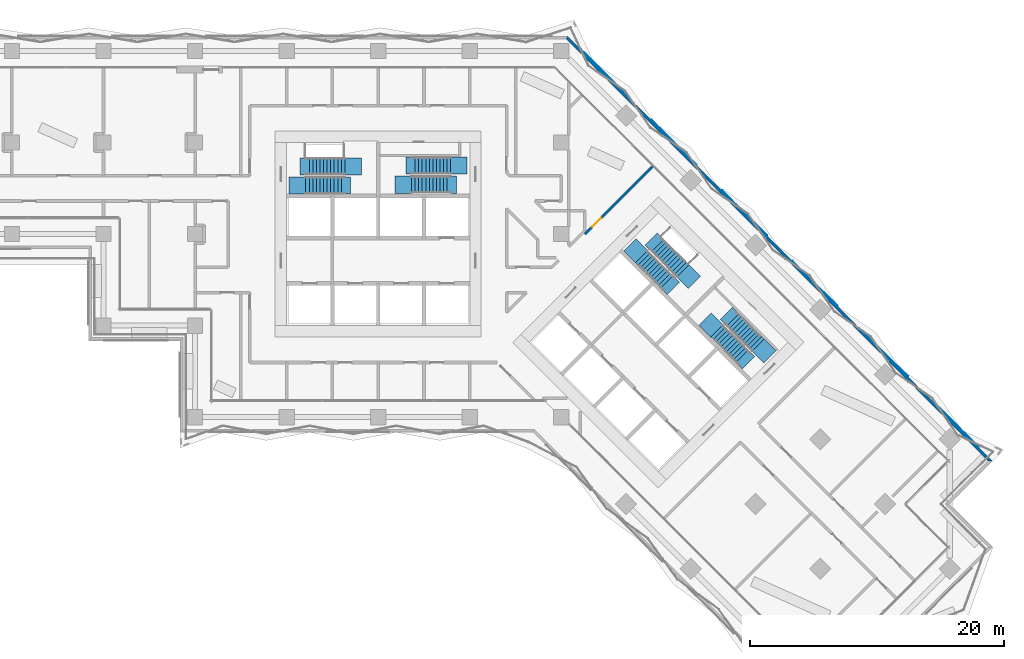
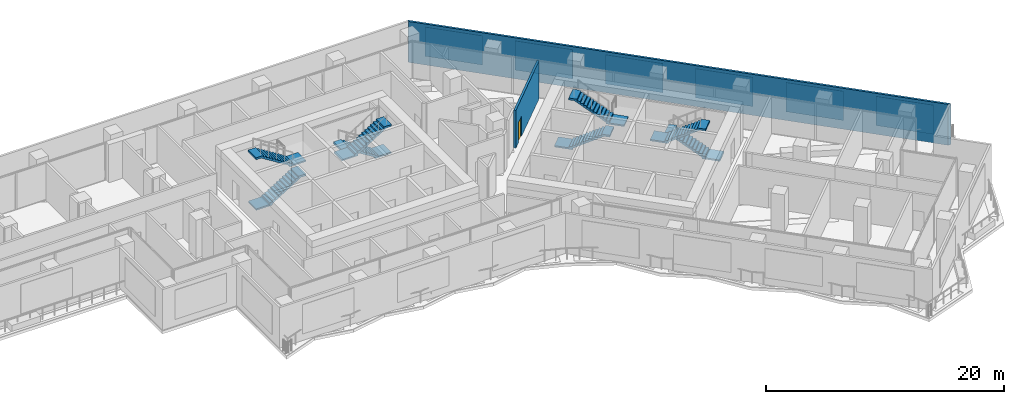
# One storey, part 17 of 24: 8 stair flights, 6 plates, 2 walls, 1 door, 1 opening, 4 elements without a shape of their own.
"""IFC4 building model written with IfcOpenShell, lengths in metres."""

from ifc_helpers import new_model, si_unit, direction, frame, frame_2d, origin, place, context, subcontext, project, spatial, polyline, rectangle, outline, extrude, material, layer, layer_set, type_object, element, fill, aggregate, save


model = new_model("IFC4")

# Units and contexts
model_context = context("Model", 3, precision=1e-05, world=origin(), true_north=direction((0.0, 1.0)))
body_context = subcontext(model_context, "Body", "Model", "MODEL_VIEW")
ifc_project = project(units=[si_unit("LENGTHUNIT", "METRE"), si_unit("AREAUNIT", "SQUARE_METRE"), si_unit("VOLUMEUNIT", "CUBIC_METRE"), si_unit("PLANEANGLEUNIT", "RADIAN"), si_unit("MASSUNIT", "GRAM", prefix="KILO")], contexts=[model_context])

# Plate
ifc_material_1 = material(Name="Aluminium louvre", Category="aluminium")
ifc_layer_1 = layer(ifc_material_1, 0.05)
ifc_layer_set_1 = layer_set([ifc_layer_1], Name="Belt louvre panel 5000x3000")
plate_type = type_object("IfcPlateType", Name="Belt louvre panel 5000x3000", PredefinedType="SHEET", material=ifc_layer_set_1)
site_placement = place(None, origin())
building_placement = place(site_placement, origin())
storey_placement = place(building_placement, frame((0.0, 0.0, 67.8)))
plate_1_placement = place(storey_placement, frame((112.0284, 40.8687, 0.75), z_axis=(0.7070967812, 0.7071167811, 0.0), x_axis=(-0.7071167811, 0.7070967812, 0.0)))
plate_1 = element("IfcPlate", 1, at=plate_1_placement, type_object=plate_type, Name="Belt louvre panel L18 5.1", PredefinedType="SHEET", context=body_context, shape_type="SweptSolid", body=[
    extrude(outline(polyline([(0.0, 0.0), (5.0, 0.0), (5.0, 3.0), (0.0, 3.0), (0.0, 0.0)])), origin(), (0.0, 0.0, -1.0), 0.05),
])

plate_2_placement = place(storey_placement, frame((106.4793, 46.4177, 0.75), z_axis=(0.7071167811, 0.7070967812, 0.0), x_axis=(-0.7070967812, 0.7071167811, 0.0)))
plate_2 = element("IfcPlate", 2, at=plate_2_placement, type_object=plate_type, Name="Belt louvre panel L18 6.2", PredefinedType="SHEET", context=body_context, shape_type="SweptSolid", body=[
    extrude(outline(polyline([(0.0, 0.0), (5.0, 0.0), (5.0, 3.0), (0.0, 3.0), (0.0, 0.0)])), origin(), (0.0, 0.0, -1.0), 0.05),
])

plate_3_placement = place(storey_placement, frame((100.9303, 51.9667, 0.75), z_axis=(0.7071167811, 0.7070967812, 0.0), x_axis=(-0.7070967812, 0.7071167811, 0.0)))
plate_3 = element("IfcPlate", 3, at=plate_3_placement, type_object=plate_type, Name="Belt louvre panel L18 7.3", PredefinedType="SHEET", context=body_context, shape_type="SweptSolid", body=[
    extrude(outline(polyline([(0.0, 0.0), (5.0, 0.0), (5.0, 3.0), (0.0, 3.0), (0.0, 0.0)])), origin(), (0.0, 0.0, -1.0), 0.05),
])

plate_4_placement = place(storey_placement, frame((95.3813, 57.5158, 0.75), z_axis=(0.7071067812, 0.7071067812, 0.0), x_axis=(-0.7071067812, 0.7071067812, 0.0)))
plate_4 = element("IfcPlate", 4, at=plate_4_placement, type_object=plate_type, Name="Belt louvre panel L18 8.4", PredefinedType="SHEET", context=body_context, shape_type="SweptSolid", body=[
    extrude(outline(polyline([(0.0, 0.0), (5.0, 0.0), (5.0, 3.0), (0.0, 3.0), (0.0, 0.0)])), origin(), (0.0, 0.0, -1.0), 0.05),
])

plate_5_placement = place(storey_placement, frame((89.8323, 63.0648, 0.75), z_axis=(0.7070967812, 0.7071167811, 0.0), x_axis=(-0.7071167811, 0.7070967812, 0.0)))
plate_5 = element("IfcPlate", 5, at=plate_5_placement, type_object=plate_type, Name="Belt louvre panel L18 9.5", PredefinedType="SHEET", context=body_context, shape_type="SweptSolid", body=[
    extrude(outline(polyline([(0.0, 0.0), (5.0, 0.0), (5.0, 3.0), (0.0, 3.0), (0.0, 0.0)])), origin(), (0.0, 0.0, -1.0), 0.05),
])

plate_6_placement = place(storey_placement, frame((84.2832, 68.6138, 0.75), z_axis=(0.7071067812, 0.7071067812, 0.0), x_axis=(-0.7071067812, 0.7071067812, 0.0)))
plate_6 = element("IfcPlate", 6, at=plate_6_placement, type_object=plate_type, Name="Belt louvre panel L18 10.6", PredefinedType="SHEET", context=body_context, shape_type="SweptSolid", body=[
    extrude(outline(polyline([(0.0, 0.0), (5.0, 0.0), (5.0, 3.0), (0.0, 3.0), (0.0, 0.0)])), origin(), (0.0, 0.0, -1.0), 0.05),
])

# Site, building, storey
site = spatial("IfcSite", under=ifc_project, at=site_placement, CompositionType="ELEMENT")
building = spatial("IfcBuilding", under=site, at=building_placement, Name="Windrow Commons", CompositionType="ELEMENT")
storey = spatial("IfcBuildingStorey", under=building, at=storey_placement, Name="L18", CompositionType="ELEMENT", Elevation=67.8)

# Wall
ifc_material_2 = material(Name="Concrete C40/50 precast screen panel", Category="concrete")
ifc_layer_2 = layer(ifc_material_2, 0.2)
ifc_layer_set_2 = layer_set([ifc_layer_2], Name="Belt screen wall 200")
wall_type_1 = type_object("IfcWallType", Name="Belt screen wall 200", PredefinedType="SOLIDWALL", material=ifc_layer_set_2)
wall_1_placement = place(storey_placement, frame((112.929, 39.7559, 0.0), z_axis=(0.0, 0.0, 1.0), x_axis=(-0.7071067812, 0.7071067812, 0.0)))
wall_1 = element("IfcWall", 7, at=wall_1_placement, inside=storey, type_object=wall_type_1, Name="Belt screen wall L18 5", PredefinedType="SOLIDWALL", context=body_context, shape_type="SweptSolid", body=[
    extrude(outline(polyline([(-0.1, -0.1), (47.1263, -0.1), (47.0435, 0.1), (0.1, 0.1), (-0.1, -0.1)])), origin(), (0.0, 0.0, 1.0), 4.2),
])

aggregate(wall_1, [plate_1, plate_2, plate_3, plate_4, plate_5, plate_6])

# Wall, opening, door
ifc_material_3 = material(Name="Blockwork partition", Category="masonry")
ifc_layer_3 = layer(ifc_material_3, 0.2)
ifc_layer_set_3 = layer_set([ifc_layer_3], Name="IW-CORRIDOR-200")
wall_type_2 = type_object("IfcWallType", Name="IW-CORRIDOR-200", PredefinedType="PARTITIONING", material=ifc_layer_set_3)
wall_2_placement = place(storey_placement, frame((81.0509, 57.5891, 0.0), z_axis=(0.0, 0.0, 1.0), x_axis=(0.7071067812, 0.7071067812, 0.0)))
wall_2 = element("IfcWall", 8, at=wall_2_placement, inside=storey, type_object=wall_type_2, Name="W-L18-W014", PredefinedType="PARTITIONING", context=body_context, shape_type="SweptSolid", body=[
    extrude(rectangle(XDim=7.5519, YDim=0.2, at=frame_2d((3.7759, 0.0))), origin(), (0.0, 0.0, 1.0), 3.9),
])
opening_placement = place(wall_2_placement, frame((0.8227, 0.0, 0.0)))
opening = element("IfcOpeningElement", 9, at=opening_placement, cuts=wall_2, Name="Opening D310F", PredefinedType="OPENING", context=body_context, shape_type="SweptSolid", body=[
    extrude(rectangle(XDim=1.0, YDim=2.1, at=frame_2d((0.5, 1.05))), frame((0.0, 0.11, 0.0), z_axis=(0.0, -1.0, 0.0), x_axis=(1.0, 0.0, 0.0)), (0.0, 0.0, 1.0), 0.22),
])
ifc_material_4 = material(Name="Timber door leaf", Category="wood")
door_type = type_object("IfcDoorType", Name="DT-AMENITY-1000", OperationType="SINGLE_SWING_LEFT", PredefinedType="DOOR", material=ifc_material_4)
door_placement = place(opening_placement, origin())
door = element("IfcDoor", 10, at=door_placement, inside=storey, type_object=door_type, Name="D-L18-D024", OperationType="SINGLE_SWING_RIGHT", OverallHeight=2.1, OverallWidth=1.0, PredefinedType="DOOR", context=body_context, shape_type="SweptSolid", body=[
    extrude(rectangle(XDim=1.0, YDim=2.1, at=frame_2d((0.5, 1.05))), frame((0.0, 0.025, 0.0), z_axis=(0.0, -1.0, 0.0), x_axis=(1.0, 0.0, 0.0)), (0.0, 0.0, 1.0), 0.05),
])
fill(opening, door)

# Stair, stair flights
ifc_material_5 = material(Name="Concrete C40/50", Category="concrete")
stair_type = type_object("IfcStairType", Name="Core stair", PredefinedType="HALF_TURN_STAIR", material=ifc_material_5)
placement = place(storey_placement, origin())
stair_1 = element("IfcStair", 11, at=placement, inside=storey, type_object=stair_type, Name="L18 Exit stair A1 core A", PredefinedType="HALF_TURN_STAIR")
ifc_material_6 = material(Name="Concrete C40/50", Category="concrete")
stair_flight_type = type_object("IfcStairFlightType", Name="Core stair flight", PredefinedType="STRAIGHT", material=ifc_material_6)
stair_flight_1_placement = place(storey_placement, frame((59.1, 61.425, 0.0), z_axis=(0.0, 0.0, 1.0), x_axis=(1.0, 0.0, 0.0)))
stair_flight_1 = element("IfcStairFlight", 12, at=stair_flight_1_placement, type_object=stair_flight_type, Name="ST-A1 flight 1", NumberOfRisers=12, NumberOfTreads=11, PredefinedType="STRAIGHT", RiserHeight=0.175, TreadLength=0.28, context=body_context, shape_type="SweptSolid", body=[
    extrude(outline(polyline([(-1.3, -0.15), (-1.3, 0.0), (0.0, 0.0), (0.0, 0.175), (0.28, 0.175), (0.28, 0.35), (0.56, 0.35), (0.56, 0.525), (0.84, 0.525), (0.84, 0.7), (1.12, 0.7), (1.12, 0.875), (1.4, 0.875), (1.4, 1.05), (1.68, 1.05), (1.68, 1.225), (1.96, 1.225), (1.96, 1.4), (2.24, 1.4), (2.24, 1.575), (2.52, 1.575), (2.52, 1.75), (2.8, 1.75), (2.8, 1.925), (3.08, 1.925), (3.53, 1.925), (3.53, 1.725), (3.08, 1.725), (3.08, 1.7481), (0.283, 0.0), (0.283, -0.15), (-1.3, -0.15)])), frame((0.0, 0.675, 0.0), z_axis=(0.0, -1.0, 0.0), x_axis=(1.0, 0.0, 0.0)), (0.0, 0.0, 1.0), 1.35),
])
stair_flight_2_placement = place(storey_placement, frame((62.18, 62.925, 2.1), z_axis=(0.0, 0.0, 1.0), x_axis=(-1.0, 0.0, 0.0)))
stair_flight_2 = element("IfcStairFlight", 13, at=stair_flight_2_placement, type_object=stair_flight_type, Name="ST-A1 flight 2", NumberOfRisers=12, NumberOfTreads=11, PredefinedType="STRAIGHT", RiserHeight=0.175, TreadLength=0.28, context=body_context, shape_type="SweptSolid", body=[
    extrude(outline(polyline([(-1.3, -0.15), (-1.3, 0.0), (0.0, 0.0), (0.0, 0.175), (0.28, 0.175), (0.28, 0.35), (0.56, 0.35), (0.56, 0.525), (0.84, 0.525), (0.84, 0.7), (1.12, 0.7), (1.12, 0.875), (1.4, 0.875), (1.4, 1.05), (1.68, 1.05), (1.68, 1.225), (1.96, 1.225), (1.96, 1.4), (2.24, 1.4), (2.24, 1.575), (2.52, 1.575), (2.52, 1.75), (2.8, 1.75), (2.8, 1.925), (3.08, 1.925), (3.53, 1.925), (3.53, 1.725), (3.08, 1.725), (3.08, 1.7481), (0.283, 0.0), (0.283, -0.15), (-1.3, -0.15)])), frame((0.0, 0.675, 0.0), z_axis=(0.0, -1.0, 0.0), x_axis=(1.0, 0.0, 0.0)), (0.0, 0.0, 1.0), 1.35),
])
aggregate(stair_1, [stair_flight_1, stair_flight_2])

stair_2 = element("IfcStair", 14, at=placement, inside=storey, type_object=stair_type, Name="L18 Exit stair A2 core A", PredefinedType="HALF_TURN_STAIR")
stair_flight_3_placement = place(storey_placement, frame((70.5, 62.98, 0.0), z_axis=(0.0, 0.0, 1.0), x_axis=(-1.0, 0.0, 0.0)))
stair_flight_3 = element("IfcStairFlight", 15, at=stair_flight_3_placement, type_object=stair_flight_type, Name="ST-A2 flight 1", NumberOfRisers=12, NumberOfTreads=11, PredefinedType="STRAIGHT", RiserHeight=0.175, TreadLength=0.28, context=body_context, shape_type="SweptSolid", body=[
    extrude(outline(polyline([(-1.3, -0.15), (-1.3, 0.0), (0.0, 0.0), (0.0, 0.175), (0.28, 0.175), (0.28, 0.35), (0.56, 0.35), (0.56, 0.525), (0.84, 0.525), (0.84, 0.7), (1.12, 0.7), (1.12, 0.875), (1.4, 0.875), (1.4, 1.05), (1.68, 1.05), (1.68, 1.225), (1.96, 1.225), (1.96, 1.4), (2.24, 1.4), (2.24, 1.575), (2.52, 1.575), (2.52, 1.75), (2.8, 1.75), (2.8, 1.925), (3.08, 1.925), (3.53, 1.925), (3.53, 1.725), (3.08, 1.725), (3.08, 1.7481), (0.283, 0.0), (0.283, -0.15), (-1.3, -0.15)])), frame((0.0, 0.675, 0.0), z_axis=(0.0, -1.0, 0.0), x_axis=(1.0, 0.0, 0.0)), (0.0, 0.0, 1.0), 1.35),
])
stair_flight_4_placement = place(storey_placement, frame((67.42, 61.48, 2.1), z_axis=(0.0, 0.0, 1.0), x_axis=(1.0, 0.0, 0.0)))
stair_flight_4 = element("IfcStairFlight", 16, at=stair_flight_4_placement, type_object=stair_flight_type, Name="ST-A2 flight 2", NumberOfRisers=12, NumberOfTreads=11, PredefinedType="STRAIGHT", RiserHeight=0.175, TreadLength=0.28, context=body_context, shape_type="SweptSolid", body=[
    extrude(outline(polyline([(-1.3, -0.15), (-1.3, 0.0), (0.0, 0.0), (0.0, 0.175), (0.28, 0.175), (0.28, 0.35), (0.56, 0.35), (0.56, 0.525), (0.84, 0.525), (0.84, 0.7), (1.12, 0.7), (1.12, 0.875), (1.4, 0.875), (1.4, 1.05), (1.68, 1.05), (1.68, 1.225), (1.96, 1.225), (1.96, 1.4), (2.24, 1.4), (2.24, 1.575), (2.52, 1.575), (2.52, 1.75), (2.8, 1.75), (2.8, 1.925), (3.08, 1.925), (3.53, 1.925), (3.53, 1.725), (3.08, 1.725), (3.08, 1.7481), (0.283, 0.0), (0.283, -0.15), (-1.3, -0.15)])), frame((0.0, 0.675, 0.0), z_axis=(0.0, -1.0, 0.0), x_axis=(1.0, 0.0, 0.0)), (0.0, 0.0, 1.0), 1.35),
])
aggregate(stair_2, [stair_flight_3, stair_flight_4])

stair_3 = element("IfcStair", 17, at=placement, inside=storey, type_object=stair_type, Name="L18 Exit stair B1 core B", PredefinedType="HALF_TURN_STAIR")
stair_flight_5_placement = place(storey_placement, frame((85.5109, 55.8249, 0.0), z_axis=(0.0, 0.0, 1.0), x_axis=(0.7071067812, -0.7071067812, 0.0)))
stair_flight_5 = element("IfcStairFlight", 18, at=stair_flight_5_placement, type_object=stair_flight_type, Name="ST-B1 flight 1", NumberOfRisers=12, NumberOfTreads=11, PredefinedType="STRAIGHT", RiserHeight=0.175, TreadLength=0.28, context=body_context, shape_type="SweptSolid", body=[
    extrude(outline(polyline([(-1.3, -0.15), (-1.3, 0.0), (0.0, 0.0), (0.0, 0.175), (0.28, 0.175), (0.28, 0.35), (0.56, 0.35), (0.56, 0.525), (0.84, 0.525), (0.84, 0.7), (1.12, 0.7), (1.12, 0.875), (1.4, 0.875), (1.4, 1.05), (1.68, 1.05), (1.68, 1.225), (1.96, 1.225), (1.96, 1.4), (2.24, 1.4), (2.24, 1.575), (2.52, 1.575), (2.52, 1.75), (2.8, 1.75), (2.8, 1.925), (3.08, 1.925), (3.53, 1.925), (3.53, 1.725), (3.08, 1.725), (3.08, 1.7481), (0.283, 0.0), (0.283, -0.15), (-1.3, -0.15)])), frame((0.0, 0.675, 0.0), z_axis=(0.0, -1.0, 0.0), x_axis=(1.0, 0.0, 0.0)), (0.0, 0.0, 1.0), 1.35),
])
stair_flight_6_placement = place(storey_placement, frame((88.7495, 54.7077, 2.1), z_axis=(0.0, 0.0, 1.0), x_axis=(-0.7071067812, 0.7071067812, 0.0)))
stair_flight_6 = element("IfcStairFlight", 19, at=stair_flight_6_placement, type_object=stair_flight_type, Name="ST-B1 flight 2", NumberOfRisers=12, NumberOfTreads=11, PredefinedType="STRAIGHT", RiserHeight=0.175, TreadLength=0.28, context=body_context, shape_type="SweptSolid", body=[
    extrude(outline(polyline([(-1.3, -0.15), (-1.3, 0.0), (0.0, 0.0), (0.0, 0.175), (0.28, 0.175), (0.28, 0.35), (0.56, 0.35), (0.56, 0.525), (0.84, 0.525), (0.84, 0.7), (1.12, 0.7), (1.12, 0.875), (1.4, 0.875), (1.4, 1.05), (1.68, 1.05), (1.68, 1.225), (1.96, 1.225), (1.96, 1.4), (2.24, 1.4), (2.24, 1.575), (2.52, 1.575), (2.52, 1.75), (2.8, 1.75), (2.8, 1.925), (3.08, 1.925), (3.53, 1.925), (3.53, 1.725), (3.08, 1.725), (3.08, 1.7481), (0.283, 0.0), (0.283, -0.15), (-1.3, -0.15)])), frame((0.0, 0.675, 0.0), z_axis=(0.0, -1.0, 0.0), x_axis=(1.0, 0.0, 0.0)), (0.0, 0.0, 1.0), 1.35),
])
aggregate(stair_3, [stair_flight_5, stair_flight_6])

stair_4 = element("IfcStair", 20, at=placement, inside=storey, type_object=stair_type, Name="L18 Exit stair B2 core B", PredefinedType="HALF_TURN_STAIR")
stair_flight_7_placement = place(storey_placement, frame((94.6715, 48.8635, 0.0), z_axis=(0.0, 0.0, 1.0), x_axis=(-0.7071067812, 0.7071067812, 0.0)))
stair_flight_7 = element("IfcStairFlight", 21, at=stair_flight_7_placement, type_object=stair_flight_type, Name="ST-B2 flight 1", NumberOfRisers=12, NumberOfTreads=11, PredefinedType="STRAIGHT", RiserHeight=0.175, TreadLength=0.28, context=body_context, shape_type="SweptSolid", body=[
    extrude(outline(polyline([(-1.3, -0.15), (-1.3, 0.0), (0.0, 0.0), (0.0, 0.175), (0.28, 0.175), (0.28, 0.35), (0.56, 0.35), (0.56, 0.525), (0.84, 0.525), (0.84, 0.7), (1.12, 0.7), (1.12, 0.875), (1.4, 0.875), (1.4, 1.05), (1.68, 1.05), (1.68, 1.225), (1.96, 1.225), (1.96, 1.4), (2.24, 1.4), (2.24, 1.575), (2.52, 1.575), (2.52, 1.75), (2.8, 1.75), (2.8, 1.925), (3.08, 1.925), (3.53, 1.925), (3.53, 1.725), (3.08, 1.725), (3.08, 1.7481), (0.283, 0.0), (0.283, -0.15), (-1.3, -0.15)])), frame((0.0, 0.675, 0.0), z_axis=(0.0, -1.0, 0.0), x_axis=(1.0, 0.0, 0.0)), (0.0, 0.0, 1.0), 1.35),
])
stair_flight_8_placement = place(storey_placement, frame((91.4329, 49.9807, 2.1), z_axis=(0.0, 0.0, 1.0), x_axis=(0.7071067812, -0.7071067812, 0.0)))
stair_flight_8 = element("IfcStairFlight", 22, at=stair_flight_8_placement, type_object=stair_flight_type, Name="ST-B2 flight 2", NumberOfRisers=12, NumberOfTreads=11, PredefinedType="STRAIGHT", RiserHeight=0.175, TreadLength=0.28, context=body_context, shape_type="SweptSolid", body=[
    extrude(outline(polyline([(-1.3, -0.15), (-1.3, 0.0), (0.0, 0.0), (0.0, 0.175), (0.28, 0.175), (0.28, 0.35), (0.56, 0.35), (0.56, 0.525), (0.84, 0.525), (0.84, 0.7), (1.12, 0.7), (1.12, 0.875), (1.4, 0.875), (1.4, 1.05), (1.68, 1.05), (1.68, 1.225), (1.96, 1.225), (1.96, 1.4), (2.24, 1.4), (2.24, 1.575), (2.52, 1.575), (2.52, 1.75), (2.8, 1.75), (2.8, 1.925), (3.08, 1.925), (3.53, 1.925), (3.53, 1.725), (3.08, 1.725), (3.08, 1.7481), (0.283, 0.0), (0.283, -0.15), (-1.3, -0.15)])), frame((0.0, 0.675, 0.0), z_axis=(0.0, -1.0, 0.0), x_axis=(1.0, 0.0, 0.0)), (0.0, 0.0, 1.0), 1.35),
])
aggregate(stair_4, [stair_flight_7, stair_flight_8])

save(model, "model.ifc")
